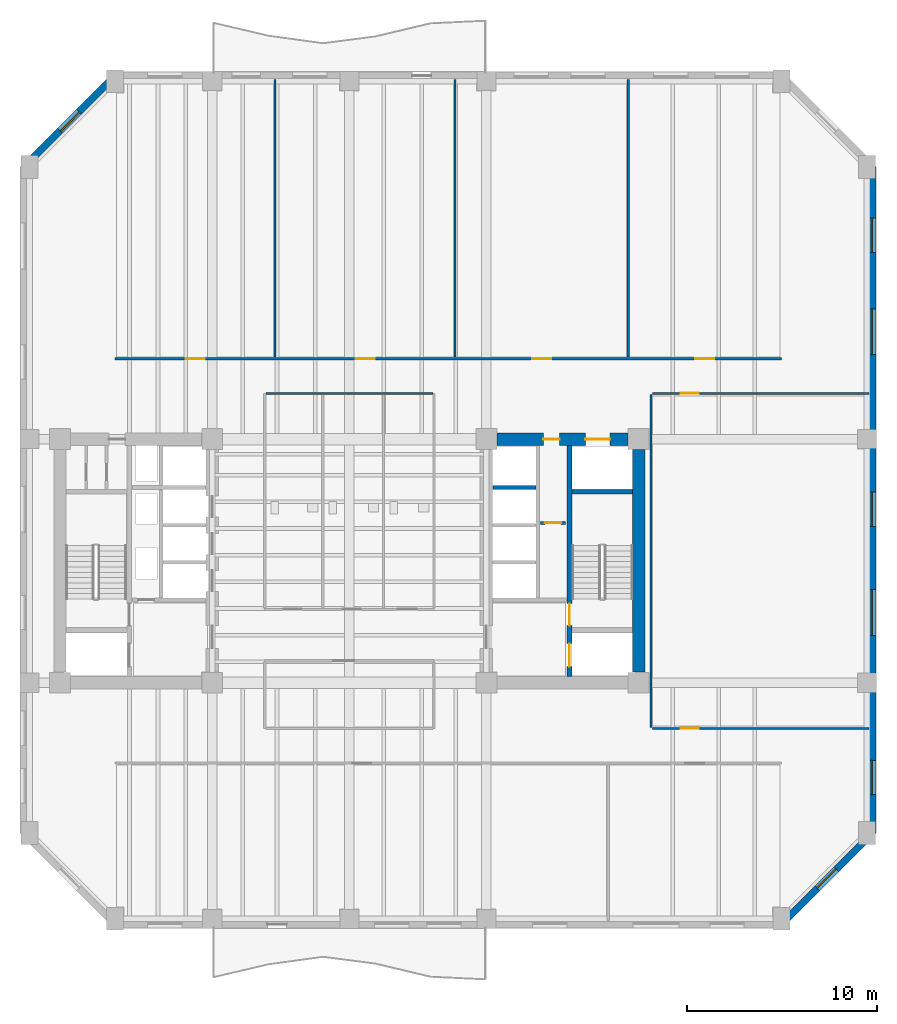
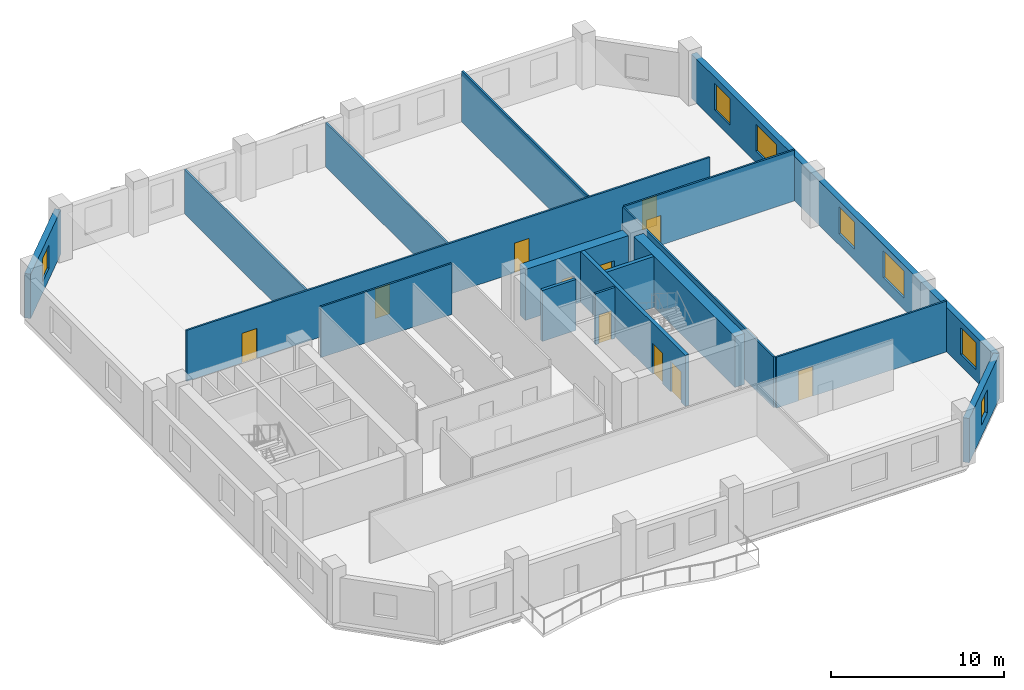
# One storey, part 4 of 8: 17 walls, 11 doors, 7 windows, 18 openings.
"""IFC4 building model written with IfcOpenShell, lengths in metres."""

import ifcopenshell
import ifcopenshell.guid

model = None  # the IFC model being written
_history = None  # IfcOwnerHistory: only IFC2X3 demands one
_inside = {}  # id of a spatial element -> (the spatial element, [elements in it])
_under = {}  # id of a project, library or spatial element -> (it, [spatial elements below it])
_declared = {}  # id of a project -> (the project, [libraries it declares])
_typed = {}  # id of a type object -> (the type object, [elements of that type])
_made_of = {}  # id of a material, layer set ... -> (it, [elements and type objects made of it])


def new_model(schema):
    """Start an empty IFC model of exactly this schema.

    Asked for "IFC4X3", IfcOpenShell would pick the latest addendum, in which some entities
    have other attributes; the version numbers below select the first issue.
    IFC2X3 requires an IfcOwnerHistory on every rooted entity: one is made here for all.
    """
    global model, _history
    if schema == "IFC4X3":
        model = ifcopenshell.file(schema_version=(4, 3, 0, 0))
    else:
        model = ifcopenshell.file(schema=schema)
    _inside.clear()
    _under.clear()
    _declared.clear()
    _typed.clear()
    _made_of.clear()
    _history = None
    if model.schema == "IFC2X3":
        org = make("IfcOrganization", Name="unknown")
        user = make(
            "IfcPersonAndOrganization",
            ThePerson=make("IfcPerson", FamilyName="unknown"),
            TheOrganization=org,
        )
        app = make(
            "IfcApplication",
            ApplicationDeveloper=org,
            Version="unknown",
            ApplicationFullName="unknown",
            ApplicationIdentifier="unknown",
        )
        _history = make(
            "IfcOwnerHistory",
            OwningUser=user,
            OwningApplication=app,
            ChangeAction="ADDED",
            CreationDate=0,
        )
    return model


def make(cls, **values):
    """One entity of the class cls with the attributes given. An attribute that is None is left unset."""
    return model.create_entity(
        cls, **{name: value for name, value in values.items() if value is not None}
    )


def rooted(cls, **values):
    """An entity with a GlobalId (a new one), such as an element, a storey or a relation."""
    return make(cls, GlobalId=ifcopenshell.guid.new(), OwnerHistory=_history, **values)


def si_unit(unit_type, name, prefix=None):
    """IfcSIUnit, for example si_unit("LENGTHUNIT", "METRE", prefix="MILLI")."""
    return make("IfcSIUnit", UnitType=unit_type, Prefix=prefix, Name=name)


def assignment(units):
    """IfcUnitAssignment: the units of a project."""
    return None if units is None else make("IfcUnitAssignment", Units=units)


def point(xyz):
    """IfcCartesianPoint."""
    return None if xyz is None else make("IfcCartesianPoint", Coordinates=xyz)


def direction(xyz):
    """IfcDirection."""
    return None if xyz is None else make("IfcDirection", DirectionRatios=xyz)


def frame(location, z_axis=None, x_axis=None):
    """IfcAxis2Placement3D, a coordinate frame: its origin and axes. An axis left out is left unset."""
    return make(
        "IfcAxis2Placement3D",
        Location=point(location),
        Axis=direction(z_axis),
        RefDirection=direction(x_axis),
    )


def frame_2d(location, x_axis=None):
    """IfcAxis2Placement2D, a coordinate frame in the plane: its origin and x axis."""
    return make(
        "IfcAxis2Placement2D", Location=point(location), RefDirection=direction(x_axis)
    )


def origin():
    """The frame at (0, 0, 0) with its axes left unset."""
    return frame((0.0, 0.0, 0.0))


def place(relative_to, where):
    """IfcLocalPlacement: puts the frame where relative to a parent placement (None: the world)."""
    return make(
        "IfcLocalPlacement", PlacementRelTo=relative_to, RelativePlacement=where
    )


def context(
    kind, dimensions, precision=None, world=None, true_north=None, identifier=None
):
    """IfcGeometricRepresentationContext, for example the 3D "Model" context."""
    return make(
        "IfcGeometricRepresentationContext",
        ContextIdentifier=identifier,
        ContextType=kind,
        CoordinateSpaceDimension=dimensions,
        Precision=precision,
        WorldCoordinateSystem=world,
        TrueNorth=true_north,
    )


def subcontext(parent, identifier, kind, view, scale=None):
    """IfcGeometricRepresentationSubContext, for example "Body" below "Model"."""
    return make(
        "IfcGeometricRepresentationSubContext",
        ContextIdentifier=identifier,
        ContextType=kind,
        ParentContext=parent,
        TargetScale=scale,
        TargetView=view,
    )


def project(units=None, contexts=None):
    """IfcProject with its units and contexts."""
    return rooted(
        "IfcProject",
        Name="project",
        RepresentationContexts=contexts,
        UnitsInContext=assignment(units),
    )


def spatial(cls, under=None, at=None, **own):
    """A site, building, storey or space (cls), placed at a placement, below another one or the project."""
    s = rooted(cls, ObjectPlacement=at, **own)
    if under is not None:
        _under.setdefault(under.id(), (under, []))[1].append(s)
    return s


def profile(cls, at=None, kind="AREA", **sizes):
    """A parametric profile (cls). Its sizes go by their IFC names, for example OverallWidth=200.0."""
    return make(cls, ProfileType=kind, Position=at, **sizes)


def rectangle(**sizes):
    """IfcRectangleProfileDef."""
    return profile("IfcRectangleProfileDef", **sizes)


def extrude(swept, where, along, depth):
    """IfcExtrudedAreaSolid: the profile swept, set in the frame where, extruded along a direction by depth."""
    return make(
        "IfcExtrudedAreaSolid",
        SweptArea=swept,
        Position=where,
        ExtrudedDirection=direction(along),
        Depth=depth,
    )


def shape(context_of_items, identifier, shape_type, items):
    """IfcShapeRepresentation: the items that make up one representation, for example the "Body"."""
    return make(
        "IfcShapeRepresentation",
        ContextOfItems=context_of_items,
        RepresentationIdentifier=identifier,
        RepresentationType=shape_type,
        Items=items,
    )


def material(Name=None, Category=None):
    """IfcMaterial."""
    return make("IfcMaterial", Name=Name, Category=Category)


def layer(
    of_material, thickness, ventilated=None, Name=None, Category=None, Priority=None
):
    """IfcMaterialLayer: one layer of a wall or slab, of a material (None: an air gap)."""
    return make(
        "IfcMaterialLayer",
        Material=of_material,
        LayerThickness=thickness,
        IsVentilated=ventilated,
        Name=Name,
        Category=Category,
        Priority=Priority,
    )


def layer_set(layers, Name=None):
    """IfcMaterialLayerSet."""
    return make("IfcMaterialLayerSet", MaterialLayers=layers, LayerSetName=Name)


def made_of(thing, what):
    """Note that an element or type object is made of a material, layer set ...; save() writes the relation."""
    if what is not None:
        _made_of.setdefault(what.id(), (what, []))[1].append(thing)
    return thing


def type_object(cls, material=None, **own):
    """A type object (cls), such as IfcWallType, which elements share."""
    return made_of(rooted(cls, **own), material)


def element(
    cls,
    number,
    at=None,
    inside=None,
    cuts=None,
    type_object=None,
    material=None,
    context=None,
    identifier="Body",
    shape_type=None,
    held_by="IfcProductDefinitionShape",
    body=None,
    shapes=None,
    **own,
):
    """One element of the class cls, such as IfcWall. Its Tag is "e" and its number.

    at: its placement. inside: the storey or other place that contains it. cuts: it is an
    opening in that element (IfcRelVoidsElement). A single representation is given by context,
    identifier, shape_type and body (its items); several are given by shapes. held_by: the class
    of the entity that holds the representations. save() writes the other relations.
    """
    e = rooted(cls, Tag="e%d" % number, ObjectPlacement=at, **own)
    if body is not None:
        shapes = [shape(context, identifier, shape_type, body)]
    if shapes is not None:
        e.Representation = make(held_by, Representations=shapes)
    if inside is not None:
        _inside.setdefault(inside.id(), (inside, []))[1].append(e)
    if cuts is not None:
        rooted(
            "IfcRelVoidsElement", RelatingBuildingElement=cuts, RelatedOpeningElement=e
        )
    if type_object is not None:
        _typed.setdefault(type_object.id(), (type_object, []))[1].append(e)
    return made_of(e, material)


def fill(opening, filler):
    """IfcRelFillsElement: the door or window that sits in an opening."""
    return rooted(
        "IfcRelFillsElement",
        RelatingOpeningElement=opening,
        RelatedBuildingElement=filler,
    )


def aggregate(whole, parts):
    """IfcRelAggregates: a whole, such as a stair, and the parts it consists of."""
    return rooted("IfcRelAggregates", RelatingObject=whole, RelatedObjects=parts)


def save(model, path):
    """Write the relations noted so far, then the file.

    IfcRelAggregates (storeys below a building ...), IfcRelContainedInSpatialStructure (elements
    in a storey), IfcRelDefinesByType, IfcRelAssociatesMaterial and IfcRelDeclares: one each for
    every whole, place, type object, material and project.
    """
    for whole, parts in _under.values():
        aggregate(whole, parts)
    for where, things in _inside.values():
        rooted(
            "IfcRelContainedInSpatialStructure",
            RelatedElements=things,
            RelatingStructure=where,
        )
    for kind, things in _typed.values():
        rooted("IfcRelDefinesByType", RelatedObjects=things, RelatingType=kind)
    for what, things in _made_of.values():
        rooted("IfcRelAssociatesMaterial", RelatedObjects=things, RelatingMaterial=what)
    for by, libraries in _declared.values():
        rooted("IfcRelDeclares", RelatingContext=by, RelatedDefinitions=libraries)
    model.write(path)


model = new_model("IFC4")

# Units and contexts
model_context = context("Model", 3, precision=1e-05, world=origin(), true_north=direction((0.0, 1.0)))
body_context = subcontext(model_context, "Body", "Model", "MODEL_VIEW")
ifc_project = project(units=[si_unit("LENGTHUNIT", "METRE"), si_unit("AREAUNIT", "SQUARE_METRE"), si_unit("VOLUMEUNIT", "CUBIC_METRE"), si_unit("PLANEANGLEUNIT", "RADIAN"), si_unit("MASSUNIT", "GRAM", prefix="KILO")], contexts=[model_context])

# Site, building, storey
site_placement = place(None, origin())
site = spatial("IfcSite", under=ifc_project, at=site_placement, CompositionType="ELEMENT")
building_placement = place(site_placement, origin())
building = spatial("IfcBuilding", under=site, at=building_placement, Name="Kranthara Brick Stack", CompositionType="ELEMENT")
storey_placement = place(building_placement, frame((0.0, 0.0, 75.0)))
storey = spatial("IfcBuildingStorey", under=building, at=storey_placement, Name="L18", CompositionType="ELEMENT", Elevation=75.0)

# Wall, opening, window
ifc_material_1 = material(Name="Kiln-fired clay brick masonry M15", Category="masonry")
ifc_layer_1 = layer(ifc_material_1, 0.3798828125)
ifc_layer_set_1 = layer_set([ifc_layer_1], Name="Kiln-fired clay brick masonry M15")
wall_type_1 = type_object("IfcWallType", Name="WL-BRK-PIER-380", PredefinedType="STANDARD", material=ifc_layer_set_1)
wall_1_placement = place(storey_placement, frame((10.909912109375, 47.89990234375, 0.0), z_axis=(0.0, 0.0, 1.0), x_axis=(0.707106781187, 0.707106781187, 0.0)))
wall_1 = element("IfcWall", 1, at=wall_1_placement, inside=storey, type_object=wall_type_1, Name="L18 Exterior Brick Facade Wall NW 1", PredefinedType="STANDARD", context=body_context, shape_type="SweptSolid", body=[
    extrude(rectangle(XDim=6.774169921875, YDim=0.3798828125, at=frame_2d((3.38720703125, 0.0))), origin(), (0.0, 0.0, 1.0), 3.135009765625),
])
opening_1_placement = place(wall_1_placement, frame((2.68701171875, 0.0, 0.800048828125)))
opening_1 = element("IfcOpeningElement", 2, at=opening_1_placement, cuts=wall_1, Name="Opening WN10", PredefinedType="OPENING", context=body_context, shape_type="SweptSolid", body=[
    extrude(rectangle(XDim=1.39990234375, YDim=1.64990234375, at=frame_2d((0.699951171875, 0.824951171875))), frame((0.0, 0.199951171875, 0.0), z_axis=(0.0, -1.0, 0.0), x_axis=(1.0, 0.0, 0.0)), (0.0, 0.0, 1.0), 0.39990234375),
])
ifc_material_2 = material(Name="Double-glazed low-E solar control glass", Category="glass")
window_type_1 = type_object("IfcWindowType", Name="WN-CHM-1400x1750", PartitioningType="SINGLE_PANEL", PredefinedType="WINDOW", material=ifc_material_2)
window_1_placement = place(opening_1_placement, origin())
window_1 = element("IfcWindow", 3, at=window_1_placement, inside=storey, type_object=window_type_1, Name="L18 NW Chamfer Corner Window", OverallHeight=1.64990234375, OverallWidth=1.39990234375, PartitioningType="SINGLE_PANEL", PredefinedType="WINDOW", context=body_context, shape_type="SweptSolid", body=[
    extrude(rectangle(XDim=1.39990234375, YDim=1.64990234375, at=frame_2d((0.699951171875, 0.824951171875))), frame((0.0, -0.010009765625, 0.0), z_axis=(0.0, -1.0, 0.0), x_axis=(1.0, 0.0, 0.0)), (0.0, 0.0, 1.0), 0.06005859375),
])
fill(opening_1, window_1)

# Wall, openings, windows
wall_2_placement = place(storey_placement, frame((55.489990234375, 47.89990234375, 0.0), z_axis=(0.0, 0.0, 1.0), x_axis=(0.0, -1.0, 0.0)))
wall_2 = element("IfcWall", 4, at=wall_2_placement, inside=storey, type_object=wall_type_1, Name="L18 Exterior Brick Facade Wall EAST 1", PredefinedType="STANDARD", context=body_context, shape_type="SweptSolid", body=[
    extrude(rectangle(XDim=35.0, YDim=0.3798828125, at=frame_2d((17.5, 0.0))), origin(), (0.0, 0.0, 1.0), 3.135009765625),
])
opening_2_placement = place(wall_2_placement, frame((2.693115234375, 0.0, 0.800048828125)))
opening_2 = element("IfcOpeningElement", 5, at=opening_2_placement, cuts=wall_2, Name="Opening WN01", PredefinedType="OPENING", context=body_context, shape_type="SweptSolid", body=[
    extrude(rectangle(XDim=1.800048828125, YDim=1.89990234375, at=frame_2d((0.89990234375, 0.949951171875))), frame((0.0, 0.199951171875, 0.0), z_axis=(0.0, -1.0, 0.0), x_axis=(1.0, 0.0, 0.0)), (0.0, 0.0, 1.0), 0.39990234375),
])
opening_3_placement = place(wall_2_placement, frame((7.45703125, 0.0, 0.800048828125)))
opening_3 = element("IfcOpeningElement", 6, at=opening_3_placement, cuts=wall_2, Name="Opening WN02", PredefinedType="OPENING", context=body_context, shape_type="SweptSolid", body=[
    extrude(rectangle(XDim=2.39990234375, YDim=1.89990234375, at=frame_2d((1.199951171875, 0.949951171875))), frame((0.0, 0.199951171875, 0.0), z_axis=(0.0, -1.0, 0.0), x_axis=(1.0, 0.0, 0.0)), (0.0, 0.0, 1.0), 0.39990234375),
])
opening_4_placement = place(wall_2_placement, frame((17.087890625, 0.0, 0.800048828125)))
opening_4 = element("IfcOpeningElement", 7, at=opening_4_placement, cuts=wall_2, Name="Opening WN01", PredefinedType="OPENING", context=body_context, shape_type="SweptSolid", body=[
    extrude(rectangle(XDim=1.800048828125, YDim=1.89990234375, at=frame_2d((0.89990234375, 0.949951171875))), frame((0.0, 0.199951171875, 0.0), z_axis=(0.0, -1.0, 0.0), x_axis=(1.0, 0.0, 0.0)), (0.0, 0.0, 1.0), 0.39990234375),
])
opening_5_placement = place(wall_2_placement, frame((22.2119140625, 0.0, 0.800048828125)))
opening_5 = element("IfcOpeningElement", 8, at=opening_5_placement, cuts=wall_2, Name="Opening WN02", PredefinedType="OPENING", context=body_context, shape_type="SweptSolid", body=[
    extrude(rectangle(XDim=2.39990234375, YDim=1.89990234375, at=frame_2d((1.199951171875, 0.949951171875))), frame((0.0, 0.199951171875, 0.0), z_axis=(0.0, -1.0, 0.0), x_axis=(1.0, 0.0, 0.0)), (0.0, 0.0, 1.0), 0.39990234375),
])
opening_6_placement = place(wall_2_placement, frame((31.175048828125, 0.0, 0.800048828125)))
opening_6 = element("IfcOpeningElement", 9, at=opening_6_placement, cuts=wall_2, Name="Opening WN01", PredefinedType="OPENING", context=body_context, shape_type="SweptSolid", body=[
    extrude(rectangle(XDim=1.800048828125, YDim=1.89990234375, at=frame_2d((0.89990234375, 0.949951171875))), frame((0.0, 0.199951171875, 0.0), z_axis=(0.0, -1.0, 0.0), x_axis=(1.0, 0.0, 0.0)), (0.0, 0.0, 1.0), 0.39990234375),
])
ifc_material_3 = material(Name="Double-glazed low-E solar control glass", Category="glass")
window_type_2 = type_object("IfcWindowType", Name="WN-OFF-1800x2000", PartitioningType="SINGLE_PANEL", PredefinedType="WINDOW", material=ifc_material_3)
window_2_placement = place(opening_2_placement, origin())
window_2 = element("IfcWindow", 10, at=window_2_placement, inside=storey, type_object=window_type_2, Name="L18 East Deep-Set Brick Window 01", OverallHeight=1.89990234375, OverallWidth=1.800048828125, PartitioningType="SINGLE_PANEL", PredefinedType="WINDOW", context=body_context, shape_type="SweptSolid", body=[
    extrude(rectangle(XDim=1.800048828125, YDim=1.89990234375, at=frame_2d((0.89990234375, 0.949951171875))), frame((0.0, -0.010009765625, 0.0), z_axis=(0.0, -1.0, 0.0), x_axis=(1.0, 0.0, 0.0)), (0.0, 0.0, 1.0), 0.06005859375),
])
fill(opening_2, window_2)
window_3_placement = place(opening_4_placement, origin())
window_3 = element("IfcWindow", 11, at=window_3_placement, inside=storey, type_object=window_type_2, Name="L18 East Deep-Set Brick Window 03", OverallHeight=1.89990234375, OverallWidth=1.800048828125, PartitioningType="SINGLE_PANEL", PredefinedType="WINDOW", context=body_context, shape_type="SweptSolid", body=[
    extrude(rectangle(XDim=1.800048828125, YDim=1.89990234375, at=frame_2d((0.89990234375, 0.949951171875))), frame((0.0, -0.010009765625, 0.0), z_axis=(0.0, -1.0, 0.0), x_axis=(1.0, 0.0, 0.0)), (0.0, 0.0, 1.0), 0.06005859375),
])
fill(opening_4, window_3)
window_4_placement = place(opening_6_placement, origin())
window_4 = element("IfcWindow", 12, at=window_4_placement, inside=storey, type_object=window_type_2, Name="L18 East Deep-Set Brick Window 05", OverallHeight=1.89990234375, OverallWidth=1.800048828125, PartitioningType="SINGLE_PANEL", PredefinedType="WINDOW", context=body_context, shape_type="SweptSolid", body=[
    extrude(rectangle(XDim=1.800048828125, YDim=1.89990234375, at=frame_2d((0.89990234375, 0.949951171875))), frame((0.0, -0.010009765625, 0.0), z_axis=(0.0, -1.0, 0.0), x_axis=(1.0, 0.0, 0.0)), (0.0, 0.0, 1.0), 0.06005859375),
])
fill(opening_6, window_4)
ifc_material_4 = material(Name="Double-glazed low-E solar control glass", Category="glass")
window_type_3 = type_object("IfcWindowType", Name="WN-OFF-2400x2000", PartitioningType="DOUBLE_PANEL_VERTICAL", PredefinedType="WINDOW", material=ifc_material_4)
window_5_placement = place(opening_3_placement, origin())
window_5 = element("IfcWindow", 13, at=window_5_placement, inside=storey, type_object=window_type_3, Name="L18 East Deep-Set Brick Window 02", OverallHeight=1.89990234375, OverallWidth=2.39990234375, PartitioningType="SINGLE_PANEL", PredefinedType="WINDOW", context=body_context, shape_type="SweptSolid", body=[
    extrude(rectangle(XDim=2.39990234375, YDim=1.89990234375, at=frame_2d((1.199951171875, 0.949951171875))), frame((0.0, -0.010009765625, 0.0), z_axis=(0.0, -1.0, 0.0), x_axis=(1.0, 0.0, 0.0)), (0.0, 0.0, 1.0), 0.06005859375),
])
fill(opening_3, window_5)
window_6_placement = place(opening_5_placement, origin())
window_6 = element("IfcWindow", 14, at=window_6_placement, inside=storey, type_object=window_type_3, Name="L18 East Deep-Set Brick Window 04", OverallHeight=1.89990234375, OverallWidth=2.39990234375, PartitioningType="SINGLE_PANEL", PredefinedType="WINDOW", context=body_context, shape_type="SweptSolid", body=[
    extrude(rectangle(XDim=2.39990234375, YDim=1.89990234375, at=frame_2d((1.199951171875, 0.949951171875))), frame((0.0, -0.010009765625, 0.0), z_axis=(0.0, -1.0, 0.0), x_axis=(1.0, 0.0, 0.0)), (0.0, 0.0, 1.0), 0.06005859375),
])
fill(opening_5, window_6)

# Wall, opening, window
wall_3_placement = place(storey_placement, frame((55.489990234375, 12.89990234375, 0.0), z_axis=(0.0, 0.0, 1.0), x_axis=(-0.707124801467, -0.707088760447, 0.0)))
wall_3 = element("IfcWall", 15, at=wall_3_placement, inside=storey, type_object=wall_type_1, Name="L18 Exterior Brick Facade Wall SE 1", PredefinedType="STANDARD", context=body_context, shape_type="SweptSolid", body=[
    extrude(rectangle(XDim=6.77392578125, YDim=0.3798828125, at=frame_2d((3.386962890625, 0.0))), origin(), (0.0, 0.0, 1.0), 3.135009765625),
])
opening_7_placement = place(wall_3_placement, frame((2.68701171875, 0.0, 0.800048828125)))
opening_7 = element("IfcOpeningElement", 16, at=opening_7_placement, cuts=wall_3, Name="Opening WN10", PredefinedType="OPENING", context=body_context, shape_type="SweptSolid", body=[
    extrude(rectangle(XDim=1.39990234375, YDim=1.64990234375, at=frame_2d((0.699951171875, 0.824951171875))), frame((0.0, 0.199951171875, 0.0), z_axis=(0.0, -1.0, 0.0), x_axis=(1.0, 0.0, 0.0)), (0.0, 0.0, 1.0), 0.39990234375),
])
window_7_placement = place(opening_7_placement, origin())
window_7 = element("IfcWindow", 17, at=window_7_placement, inside=storey, type_object=window_type_1, Name="L18 SE Chamfer Corner Window", OverallHeight=1.64990234375, OverallWidth=1.39990234375, PartitioningType="SINGLE_PANEL", PredefinedType="WINDOW", context=body_context, shape_type="SweptSolid", body=[
    extrude(rectangle(XDim=1.39990234375, YDim=1.64990234375, at=frame_2d((0.699951171875, 0.824951171875))), frame((0.0, -0.010009765625, 0.0), z_axis=(0.0, -1.0, 0.0), x_axis=(1.0, 0.0, 0.0)), (0.0, 0.0, 1.0), 0.06005859375),
])
fill(opening_7, window_7)

# Wall, openings, doors
ifc_material_5 = material(Name="Concrete C50/60", Category="concrete")
ifc_layer_2 = layer(ifc_material_5, 0.25)
ifc_layer_set_2 = layer_set([ifc_layer_2], Name="Concrete C50/60")
wall_type_2 = type_object("IfcWallType", Name="WL-CORE-250", PredefinedType="SHEAR", material=ifc_layer_set_2)
wall_4_placement = place(storey_placement, frame((39.56494140625, 21.135009765625, 0.0), z_axis=(0.0, 0.0, 1.0), x_axis=(0.0, 1.0, 0.0)))
wall_4 = element("IfcWall", 18, at=wall_4_placement, inside=storey, type_object=wall_type_2, Name="L18 East Core Stair Bearing Spine Wall", PredefinedType="SHEAR", context=body_context, shape_type="SweptSolid", body=[
    extrude(rectangle(XDim=12.1298828125, YDim=0.25, at=frame_2d((6.06494140625, 0.0))), origin(), (0.0, 0.0, 1.0), 3.60009765625),
])
opening_8_placement = place(wall_4_placement, frame((0.514892578125, 0.0, 0.0)))
opening_8 = element("IfcOpeningElement", 19, at=opening_8_placement, cuts=wall_4, Name="Opening LD01", PredefinedType="OPENING", context=body_context, shape_type="SweptSolid", body=[
    extrude(rectangle(XDim=1.199951171875, YDim=2.14990234375, at=frame_2d((0.60009765625, 1.074951171875))), frame((0.0, 0.135009765625, 0.0), z_axis=(0.0, -1.0, 0.0), x_axis=(1.0, 0.0, 0.0)), (0.0, 0.0, 1.0), 0.27001953125),
])
opening_9_placement = place(wall_4_placement, frame((2.6650390625, 0.0, 0.0)))
opening_9 = element("IfcOpeningElement", 20, at=opening_9_placement, cuts=wall_4, Name="Opening D05", PredefinedType="OPENING", context=body_context, shape_type="SweptSolid", body=[
    extrude(rectangle(XDim=1.14990234375, YDim=2.14990234375, at=frame_2d((0.574951171875, 1.074951171875))), frame((0.0, 0.135009765625, 0.0), z_axis=(0.0, -1.0, 0.0), x_axis=(1.0, 0.0, 0.0)), (0.0, 0.0, 1.0), 0.27001953125),
])
ifc_material_6 = material(Name="Stainless steel sliding landing door", Category="steel")
door_type_1 = type_object("IfcDoorType", Name="DR-LD-FF1200", OperationType="DOUBLE_DOOR_SLIDING", PredefinedType="DOOR", material=ifc_material_6)
door_1_placement = place(opening_8_placement, origin())
door_1 = element("IfcDoor", 21, at=door_1_placement, inside=storey, type_object=door_type_1, Name="L18 Firefighting Lift FF-02 Landing Door", OperationType="DOUBLE_DOOR_SLIDING", OverallHeight=2.14990234375, OverallWidth=1.199951171875, PredefinedType="DOOR", context=body_context, shape_type="SweptSolid", body=[
    extrude(rectangle(XDim=1.199951171875, YDim=2.14990234375, at=frame_2d((0.60009765625, 1.074951171875))), frame((0.0, 0.02490234375, 0.0), z_axis=(0.0, -1.0, 0.0), x_axis=(1.0, 0.0, 0.0)), (0.0, 0.0, 1.0), 0.050048828125),
])
fill(opening_8, door_1)
ifc_material_7 = material(Name="Solid-core hardwood timber leaf in steel frame", Category="steel")
door_type_2 = type_object("IfcDoorType", Name="DR-ST-1150", OperationType="NOTDEFINED", PredefinedType="DOOR", material=ifc_material_7)
door_2_placement = place(opening_9_placement, origin())
door_2 = element("IfcDoor", 22, at=door_2_placement, inside=storey, type_object=door_type_2, Name="L18 Exit Stair ST02 Door", OperationType="SINGLE_SWING_LEFT", OverallHeight=2.14990234375, OverallWidth=1.14990234375, PredefinedType="DOOR", context=body_context, shape_type="SweptSolid", body=[
    extrude(rectangle(XDim=1.14990234375, YDim=2.14990234375, at=frame_2d((0.574951171875, 1.074951171875))), frame((0.0, 0.02490234375, 0.0), z_axis=(0.0, -1.0, 0.0), x_axis=(1.0, 0.0, 0.0)), (0.0, 0.0, 1.0), 0.050048828125),
])
fill(opening_9, door_2)

# Walls
wall_5_placement = place(storey_placement, frame((39.68994140625, 30.830078125, 0.0), z_axis=(0.0, 0.0, 1.0), x_axis=(1.0, 0.0, 0.0)))
element("IfcWall", 23, at=wall_5_placement, inside=storey, type_object=wall_type_2, Name="L18 East Stairwell Bearing Wall EST", PredefinedType="SHEAR", context=body_context, shape_type="SweptSolid", body=[
    extrude(rectangle(XDim=3.175048828125, YDim=0.25, at=frame_2d((1.58740234375, 0.0))), origin(), (0.0, 0.0, 1.0), 3.60009765625),
])
ifc_material_8 = material(Name="Concrete C60/75", Category="concrete")
ifc_layer_3 = layer(ifc_material_8, 0.64990234375)
ifc_layer_set_3 = layer_set([ifc_layer_3], Name="Concrete C60/75")
wall_type_3 = type_object("IfcWallType", Name="WL-CORE-650", PredefinedType="SHEAR", material=ifc_layer_set_3)
wall_6_placement = place(storey_placement, frame((43.199951171875, 21.35498046875, 0.0), z_axis=(0.0, 0.0, 1.0), x_axis=(0.0, 1.0, 0.0)))
element("IfcWall", 24, at=wall_6_placement, inside=storey, type_object=wall_type_3, Name="L18 East Core Shear Wall East", PredefinedType="SHEAR", context=body_context, shape_type="SweptSolid", body=[
    extrude(rectangle(XDim=11.68994140625, YDim=0.64990234375, at=frame_2d((5.844970703125, 0.0))), origin(), (0.0, 0.0, 1.0), 3.60009765625),
])

# Wall, openings, doors
wall_7_placement = place(storey_placement, frame((35.7548828125, 33.60009765625, 0.0), z_axis=(0.0, 0.0, 1.0), x_axis=(1.0, 0.0, 0.0)))
wall_7 = element("IfcWall", 25, at=wall_7_placement, inside=storey, type_object=wall_type_3, Name="L18 East Core Shear Wall North", PredefinedType="SHEAR", context=body_context, shape_type="SweptSolid", body=[
    extrude(rectangle(XDim=6.89013671875, YDim=0.64990234375, at=frame_2d((3.445068359375, 0.0))), origin(), (0.0, 0.0, 1.0), 3.60009765625),
])
opening_10_placement = place(wall_7_placement, frame((4.64501953125, 0.0, 0.0)))
opening_10 = element("IfcOpeningElement", 26, at=opening_10_placement, cuts=wall_7, Name="Opening LD03", PredefinedType="OPENING", context=body_context, shape_type="SweptSolid", body=[
    extrude(rectangle(XDim=1.300048828125, YDim=2.14990234375, at=frame_2d((0.64990234375, 1.074951171875))), frame((0.0, 0.3349609375, 0.0), z_axis=(0.0, -1.0, 0.0), x_axis=(1.0, 0.0, 0.0)), (0.0, 0.0, 1.0), 0.669921875),
])
opening_11_placement = place(wall_7_placement, frame((2.445068359375, 0.0, 0.0)))
opening_11 = element("IfcOpeningElement", 27, at=opening_11_placement, cuts=wall_7, Name="Opening D10", PredefinedType="OPENING", context=body_context, shape_type="SweptSolid", body=[
    extrude(rectangle(XDim=0.85009765625, YDim=2.02001953125, at=frame_2d((0.425048828125, 1.010009765625))), frame((0.0, 0.3349609375, 0.0), z_axis=(0.0, -1.0, 0.0), x_axis=(1.0, 0.0, 0.0)), (0.0, 0.0, 1.0), 0.669921875),
])
ifc_material_9 = material(Name="Stainless steel sliding landing door", Category="steel")
door_type_3 = type_object("IfcDoorType", Name="DR-LD-SV1300", OperationType="DOUBLE_DOOR_SLIDING", PredefinedType="DOOR", material=ifc_material_9)
door_3_placement = place(opening_10_placement, origin())
door_3 = element("IfcDoor", 28, at=door_3_placement, inside=storey, type_object=door_type_3, Name="L18 Stretcher Service Lift SV-01 Landing Door", OperationType="DOUBLE_DOOR_SLIDING", OverallHeight=2.14990234375, OverallWidth=1.300048828125, PredefinedType="DOOR", context=body_context, shape_type="SweptSolid", body=[
    extrude(rectangle(XDim=1.300048828125, YDim=2.14990234375, at=frame_2d((0.64990234375, 1.074951171875))), frame((0.0, 0.02490234375, 0.0), z_axis=(0.0, -1.0, 0.0), x_axis=(1.0, 0.0, 0.0)), (0.0, 0.0, 1.0), 0.050048828125),
])
fill(opening_10, door_3)
ifc_material_10 = material(Name="Solid-core hardwood timber leaf in steel frame", Category="steel")
door_type_4 = type_object("IfcDoorType", Name="DR-RSR-850", OperationType="NOTDEFINED", PredefinedType="DOOR", material=ifc_material_10)
door_4_placement = place(opening_11_placement, origin())
door_4 = element("IfcDoor", 29, at=door_4_placement, inside=storey, type_object=door_type_4, Name="L18 East Core Service Room Door", OperationType="SINGLE_SWING_LEFT", OverallHeight=2.02001953125, OverallWidth=0.85009765625, PredefinedType="DOOR", context=body_context, shape_type="SweptSolid", body=[
    extrude(rectangle(XDim=0.85009765625, YDim=2.02001953125, at=frame_2d((0.425048828125, 1.010009765625))), frame((0.0, 0.02490234375, 0.0), z_axis=(0.0, -1.0, 0.0), x_axis=(1.0, 0.0, 0.0)), (0.0, 0.0, 1.0), 0.050048828125),
])
fill(opening_11, door_4)

# Wall
ifc_material_11 = material(Name="Acoustic gypsum plasterboard partition", Category="other")
ifc_layer_4 = layer(ifc_material_11, 0.1201171875)
ifc_layer_set_4 = layer_set([ifc_layer_4], Name="Acoustic gypsum plasterboard partition")
wall_type_4 = type_object("IfcWallType", Name="WL-PART-120", PredefinedType="PARTITIONING", material=ifc_layer_set_4)
wall_8_placement = place(storey_placement, frame((23.614990234375, 36.0, 0.0), z_axis=(0.0, 0.0, 1.0), x_axis=(1.0, 0.0, 0.0)))
element("IfcWall", 30, at=wall_8_placement, inside=storey, type_object=wall_type_4, Name="L18 Interior Partition 009", PredefinedType="PARTITIONING", context=body_context, shape_type="SweptSolid", body=[
    extrude(rectangle(XDim=8.77001953125, YDim=0.1201171875, at=frame_2d((4.385009765625, 0.0))), origin(), (0.0, 0.0, 1.0), 3.60009765625),
])

# Wall, openings, doors
wall_9_placement = place(storey_placement, frame((15.699951171875, 37.820068359375, 0.0), z_axis=(0.0, 0.0, 1.0), x_axis=(1.0, 0.0, 0.0)))
wall_9 = element("IfcWall", 31, at=wall_9_placement, inside=storey, type_object=wall_type_4, Name="L18 Interior Partition 016", PredefinedType="PARTITIONING", context=body_context, shape_type="SweptSolid", body=[
    extrude(rectangle(XDim=35.0, YDim=0.1201171875, at=frame_2d((17.5, 0.0))), origin(), (0.0, 0.0, 1.0), 3.60009765625),
])
opening_12_placement = place(wall_9_placement, frame((3.699951171875, 0.0, 0.0)))
opening_12 = element("IfcOpeningElement", 32, at=opening_12_placement, cuts=wall_9, Name="Opening D13", PredefinedType="OPENING", context=body_context, shape_type="SweptSolid", body=[
    extrude(rectangle(XDim=1.0, YDim=2.10009765625, at=frame_2d((0.5, 1.050048828125))), frame((0.0, 0.070068359375, 0.0), z_axis=(0.0, -1.0, 0.0), x_axis=(1.0, 0.0, 0.0)), (0.0, 0.0, 1.0), 0.14013671875),
])
opening_13_placement = place(wall_9_placement, frame((12.625, 0.0, 0.0)))
opening_13 = element("IfcOpeningElement", 33, at=opening_13_placement, cuts=wall_9, Name="Opening D13", PredefinedType="OPENING", context=body_context, shape_type="SweptSolid", body=[
    extrude(rectangle(XDim=1.0, YDim=2.10009765625, at=frame_2d((0.5, 1.050048828125))), frame((0.0, 0.070068359375, 0.0), z_axis=(0.0, -1.0, 0.0), x_axis=(1.0, 0.0, 0.0)), (0.0, 0.0, 1.0), 0.14013671875),
])
opening_14_placement = place(wall_9_placement, frame((21.89990234375, 0.0, 0.0)))
opening_14 = element("IfcOpeningElement", 34, at=opening_14_placement, cuts=wall_9, Name="Opening D13", PredefinedType="OPENING", context=body_context, shape_type="SweptSolid", body=[
    extrude(rectangle(XDim=1.0, YDim=2.10009765625, at=frame_2d((0.5, 1.050048828125))), frame((0.0, 0.070068359375, 0.0), z_axis=(0.0, -1.0, 0.0), x_axis=(1.0, 0.0, 0.0)), (0.0, 0.0, 1.0), 0.14013671875),
])
opening_15_placement = place(wall_9_placement, frame((30.47509765625, 0.0, 0.0)))
opening_15 = element("IfcOpeningElement", 35, at=opening_15_placement, cuts=wall_9, Name="Opening D13", PredefinedType="OPENING", context=body_context, shape_type="SweptSolid", body=[
    extrude(rectangle(XDim=1.0, YDim=2.10009765625, at=frame_2d((0.5, 1.050048828125))), frame((0.0, 0.070068359375, 0.0), z_axis=(0.0, -1.0, 0.0), x_axis=(1.0, 0.0, 0.0)), (0.0, 0.0, 1.0), 0.14013671875),
])
ifc_material_12 = material(Name="Solid-core hardwood timber leaf in steel frame", Category="steel")
door_type_5 = type_object("IfcDoorType", Name="DR-INT-1000", OperationType="NOTDEFINED", PredefinedType="DOOR", material=ifc_material_12)
door_5_placement = place(opening_12_placement, origin())
door_5 = element("IfcDoor", 36, at=door_5_placement, inside=storey, type_object=door_type_5, Name="L18 Executive Cellular Office 10", OperationType="SINGLE_SWING_RIGHT", OverallHeight=2.10009765625, OverallWidth=1.0, PredefinedType="DOOR", context=body_context, shape_type="SweptSolid", body=[
    extrude(rectangle(XDim=1.0, YDim=2.10009765625, at=frame_2d((0.5, 1.050048828125))), frame((0.0, 0.02490234375, 0.0), z_axis=(0.0, -1.0, 0.0), x_axis=(1.0, 0.0, 0.0)), (0.0, 0.0, 1.0), 0.050048828125),
])
fill(opening_12, door_5)
door_6_placement = place(opening_13_placement, origin())
door_6 = element("IfcDoor", 37, at=door_6_placement, inside=storey, type_object=door_type_5, Name="L18 Meeting Room 11", OperationType="SINGLE_SWING_LEFT", OverallHeight=2.10009765625, OverallWidth=1.0, PredefinedType="DOOR", context=body_context, shape_type="SweptSolid", body=[
    extrude(rectangle(XDim=1.0, YDim=2.10009765625, at=frame_2d((0.5, 1.050048828125))), frame((0.0, 0.02490234375, 0.0), z_axis=(0.0, -1.0, 0.0), x_axis=(1.0, 0.0, 0.0)), (0.0, 0.0, 1.0), 0.050048828125),
])
fill(opening_13, door_6)
door_7_placement = place(opening_14_placement, origin())
door_7 = element("IfcDoor", 38, at=door_7_placement, inside=storey, type_object=door_type_5, Name="L18 Boardroom 12", OperationType="SINGLE_SWING_RIGHT", OverallHeight=2.10009765625, OverallWidth=1.0, PredefinedType="DOOR", context=body_context, shape_type="SweptSolid", body=[
    extrude(rectangle(XDim=1.0, YDim=2.10009765625, at=frame_2d((0.5, 1.050048828125))), frame((0.0, 0.02490234375, 0.0), z_axis=(0.0, -1.0, 0.0), x_axis=(1.0, 0.0, 0.0)), (0.0, 0.0, 1.0), 0.050048828125),
])
fill(opening_14, door_7)
door_8_placement = place(opening_15_placement, origin())
door_8 = element("IfcDoor", 39, at=door_8_placement, inside=storey, type_object=door_type_5, Name="L18 Collaboration Lounge 13", OperationType="SINGLE_SWING_LEFT", OverallHeight=2.10009765625, OverallWidth=1.0, PredefinedType="DOOR", context=body_context, shape_type="SweptSolid", body=[
    extrude(rectangle(XDim=1.0, YDim=2.10009765625, at=frame_2d((0.5, 1.050048828125))), frame((0.0, 0.02490234375, 0.0), z_axis=(0.0, -1.0, 0.0), x_axis=(1.0, 0.0, 0.0)), (0.0, 0.0, 1.0), 0.050048828125),
])
fill(opening_15, door_8)

# Walls
for number, where, z_axis, x_axis, name in (
    (40, (24.10009765625, 37.919921875, 0.0), (0.0, 0.0, 1.0), (0.0, 1.0, 0.0), "L18 Interior Partition 017"),
    (41, (33.550048828125, 37.919921875, 0.0), (0.0, 0.0, 1.0), (0.0, 1.0, 0.0), "L18 Interior Partition 018"),
):
    element("IfcWall", number, at=place(storey_placement, frame(where, z_axis=z_axis, x_axis=x_axis)), inside=storey, type_object=wall_type_4, Name=name, PredefinedType="PARTITIONING", context=body_context, shape_type="SweptSolid", body=[
        extrude(rectangle(XDim=14.5751953125, YDim=0.1201171875, at=frame_2d((7.28759765625, 0.0))), origin(), (0.0, 0.0, 1.0), 3.135009765625),
    ])
wall_10_placement = place(storey_placement, frame((42.64990234375, 37.919921875, 0.0), z_axis=(0.0, 0.0, 1.0), x_axis=(0.0, 1.0, 0.0)))
element("IfcWall", 42, at=wall_10_placement, inside=storey, type_object=wall_type_4, Name="L18 Interior Partition 019", PredefinedType="PARTITIONING", context=body_context, shape_type="SweptSolid", body=[
    extrude(rectangle(XDim=14.5751953125, YDim=0.1201171875, at=frame_2d((7.28759765625, 0.0))), origin(), (0.0, 0.0, 1.0), 3.60009765625),
])
wall_11_placement = place(storey_placement, frame((43.85009765625, 18.449951171875, 0.0), z_axis=(0.0, 0.0, 1.0), x_axis=(0.0, 1.0, 0.0)))
element("IfcWall", 43, at=wall_11_placement, inside=storey, type_object=wall_type_4, Name="L18 Interior Partition 020", PredefinedType="PARTITIONING", context=body_context, shape_type="SweptSolid", body=[
    extrude(rectangle(XDim=17.5, YDim=0.1201171875, at=frame_2d((8.75, 0.0))), origin(), (0.0, 0.0, 1.0), 3.60009765625),
])

# Wall, opening, door
wall_12_placement = place(storey_placement, frame((43.9150390625, 18.39990234375, 0.0), z_axis=(0.0, 0.0, 1.0), x_axis=(1.0, 0.0, 0.0)))
wall_12 = element("IfcWall", 44, at=wall_12_placement, inside=storey, type_object=wall_type_4, Name="L18 Interior Partition 021", PredefinedType="PARTITIONING", context=body_context, shape_type="SweptSolid", body=[
    extrude(rectangle(XDim=11.3798828125, YDim=0.1201171875, at=frame_2d((5.68994140625, 0.0))), origin(), (0.0, 0.0, 1.0), 3.60009765625),
])
opening_16_placement = place(wall_12_placement, frame((1.485107421875, 0.0, 0.0)))
opening_16 = element("IfcOpeningElement", 45, at=opening_16_placement, cuts=wall_12, Name="Opening D14", PredefinedType="OPENING", context=body_context, shape_type="SweptSolid", body=[
    extrude(rectangle(XDim=0.949951171875, YDim=2.10009765625, at=frame_2d((0.47509765625, 1.050048828125))), frame((0.0, 0.070068359375, 0.0), z_axis=(0.0, -1.0, 0.0), x_axis=(1.0, 0.0, 0.0)), (0.0, 0.0, 1.0), 0.14013671875),
])
ifc_material_13 = material(Name="Solid-core hardwood timber leaf in steel frame", Category="steel")
door_type_6 = type_object("IfcDoorType", Name="DR-INT-950", OperationType="NOTDEFINED", PredefinedType="DOOR", material=ifc_material_13)
door_9_placement = place(opening_16_placement, origin())
door_9 = element("IfcDoor", 46, at=door_9_placement, inside=storey, type_object=door_type_6, Name="L18 East South Office 14", OperationType="SINGLE_SWING_RIGHT", OverallHeight=2.10009765625, OverallWidth=0.949951171875, PredefinedType="DOOR", context=body_context, shape_type="SweptSolid", body=[
    extrude(rectangle(XDim=0.949951171875, YDim=2.10009765625, at=frame_2d((0.47509765625, 1.050048828125))), frame((0.0, 0.02490234375, 0.0), z_axis=(0.0, -1.0, 0.0), x_axis=(1.0, 0.0, 0.0)), (0.0, 0.0, 1.0), 0.050048828125),
])
fill(opening_16, door_9)

wall_13_placement = place(storey_placement, frame((43.9150390625, 36.0, 0.0), z_axis=(0.0, 0.0, 1.0), x_axis=(1.0, 0.0, 0.0)))
wall_13 = element("IfcWall", 47, at=wall_13_placement, inside=storey, type_object=wall_type_4, Name="L18 Interior Partition 022", PredefinedType="PARTITIONING", context=body_context, shape_type="SweptSolid", body=[
    extrude(rectangle(XDim=11.3798828125, YDim=0.1201171875, at=frame_2d((5.68994140625, 0.0))), origin(), (0.0, 0.0, 1.0), 3.60009765625),
])
opening_17_placement = place(wall_13_placement, frame((1.485107421875, 0.0, 0.0)))
opening_17 = element("IfcOpeningElement", 48, at=opening_17_placement, cuts=wall_13, Name="Opening D14", PredefinedType="OPENING", context=body_context, shape_type="SweptSolid", body=[
    extrude(rectangle(XDim=0.949951171875, YDim=2.10009765625, at=frame_2d((0.47509765625, 1.050048828125))), frame((0.0, 0.070068359375, 0.0), z_axis=(0.0, -1.0, 0.0), x_axis=(1.0, 0.0, 0.0)), (0.0, 0.0, 1.0), 0.14013671875),
])
door_10_placement = place(opening_17_placement, origin())
door_10 = element("IfcDoor", 49, at=door_10_placement, inside=storey, type_object=door_type_6, Name="L18 East North Office 15", OperationType="SINGLE_SWING_LEFT", OverallHeight=2.10009765625, OverallWidth=0.949951171875, PredefinedType="DOOR", context=body_context, shape_type="SweptSolid", body=[
    extrude(rectangle(XDim=0.949951171875, YDim=2.10009765625, at=frame_2d((0.47509765625, 1.050048828125))), frame((0.0, 0.02490234375, 0.0), z_axis=(0.0, -1.0, 0.0), x_axis=(1.0, 0.0, 0.0)), (0.0, 0.0, 1.0), 0.050048828125),
])
fill(opening_17, door_10)

ifc_material_14 = material(Name="Fire-rated gypsum board partition", Category="other")
ifc_layer_5 = layer(ifc_material_14, 0.14990234375)
ifc_layer_set_5 = layer_set([ifc_layer_5], Name="Fire-rated gypsum board partition")
wall_type_5 = type_object("IfcWallType", Name="WL-PART-150", PredefinedType="PARTITIONING", material=ifc_layer_set_5)
wall_14_placement = place(storey_placement, frame((38.050048828125, 29.199951171875, 0.0), z_axis=(0.0, 0.0, 1.0), x_axis=(1.0, 0.0, 0.0)))
wall_14 = element("IfcWall", 50, at=wall_14_placement, inside=storey, type_object=wall_type_5, Name="L18 Interior Partition 003", PredefinedType="PARTITIONING", context=body_context, shape_type="SweptSolid", body=[
    extrude(rectangle(XDim=1.300048828125, YDim=0.14990234375, at=frame_2d((0.64990234375, 0.0))), origin(), (0.0, 0.0, 1.0), 3.60009765625),
])
opening_18_placement = place(wall_14_placement, frame((0.219970703125, 0.0, 0.0)))
opening_18 = element("IfcOpeningElement", 51, at=opening_18_placement, cuts=wall_14, Name="Opening D10", PredefinedType="OPENING", context=body_context, shape_type="SweptSolid", body=[
    extrude(rectangle(XDim=0.85009765625, YDim=2.02001953125, at=frame_2d((0.425048828125, 1.010009765625))), frame((0.0, 0.0849609375, 0.0), z_axis=(0.0, -1.0, 0.0), x_axis=(1.0, 0.0, 0.0)), (0.0, 0.0, 1.0), 0.169921875),
])
door_11_placement = place(opening_18_placement, origin())
door_11 = element("IfcDoor", 52, at=door_11_placement, inside=storey, type_object=door_type_4, Name="L18 East Service Door 03", OperationType="SINGLE_SWING_LEFT", OverallHeight=2.02001953125, OverallWidth=0.85009765625, PredefinedType="DOOR", context=body_context, shape_type="SweptSolid", body=[
    extrude(rectangle(XDim=0.85009765625, YDim=2.02001953125, at=frame_2d((0.425048828125, 1.010009765625))), frame((0.0, 0.02490234375, 0.0), z_axis=(0.0, -1.0, 0.0), x_axis=(1.0, 0.0, 0.0)), (0.0, 0.0, 1.0), 0.050048828125),
])
fill(opening_18, door_11)

# Wall
ifc_material_15 = material(Name="Concrete C40/50", Category="concrete")
ifc_layer_6 = layer(ifc_material_15, 0.199951171875)
ifc_layer_set_6 = layer_set([ifc_layer_6], Name="Concrete C40/50")
wall_type_6 = type_object("IfcWallType", Name="WL-PART-200", PredefinedType="SOLIDWALL", material=ifc_layer_set_6)
wall_15_placement = place(storey_placement, frame((35.550048828125, 31.050048828125, 0.0), z_axis=(0.0, 0.0, 1.0), x_axis=(1.0, 0.0, 0.0)))
element("IfcWall", 53, at=wall_15_placement, inside=storey, type_object=wall_type_6, Name="L18 East Core Cross Wall EE4", PredefinedType="SOLIDWALL", context=body_context, shape_type="SweptSolid", body=[
    extrude(rectangle(XDim=2.25, YDim=0.199951171875, at=frame_2d((1.125, 0.0))), origin(), (0.0, 0.0, 1.0), 3.60009765625),
])

save(model, "model.ifc")
